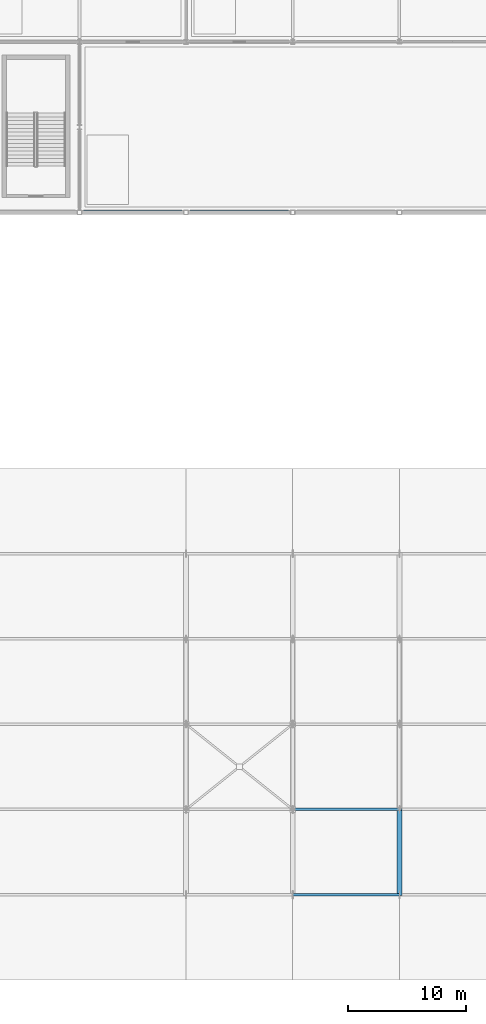
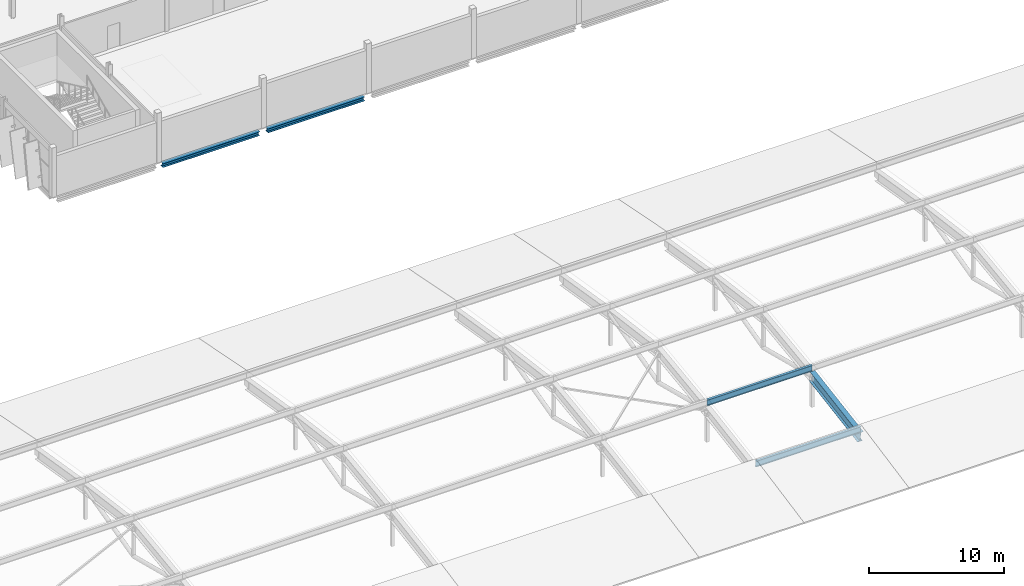
# One storey, part 15 of 78: 3 members, 2 beams.
"""IFC4 building model written with IfcOpenShell, lengths in metres."""

from ifc_helpers import new_model, si_unit, direction, frame, origin, origin_2d, place, context, subcontext, project, spatial, i_section, extrude, material, material_profile, profile_set, type_object, element, save


model = new_model("IFC4")

# Units and contexts
model_context = context("Model", 3, precision=1e-05, world=origin(), true_north=direction((0.0, 1.0)))
body_context = subcontext(model_context, "Body", "Model", "MODEL_VIEW")
ifc_project = project(units=[si_unit("LENGTHUNIT", "METRE"), si_unit("AREAUNIT", "SQUARE_METRE"), si_unit("VOLUMEUNIT", "CUBIC_METRE"), si_unit("PLANEANGLEUNIT", "RADIAN"), si_unit("MASSUNIT", "GRAM", prefix="KILO")], contexts=[model_context])

# Site, building, storey
site_placement = place(None, origin())
site = spatial("IfcSite", under=ifc_project, at=site_placement, CompositionType="ELEMENT")
building_placement = place(site_placement, origin())
building = spatial("IfcBuilding", under=site, at=building_placement, Name="Celestram Park Convention Centre", CompositionType="ELEMENT")
storey_placement = place(building_placement, frame((0.0, 0.0, 19.800048828125)))
storey = spatial("IfcBuildingStorey", under=building, at=storey_placement, Name="L04", CompositionType="ELEMENT", Elevation=19.800048828125)

# Members
ifc_material = material(Name="Steel ASTM A992 Grade 50", Category="steel")
ifc_material_profile_1 = material_profile(ifc_material, i_section(OverallWidth=0.4189453125, OverallDepth=0.927001953125, WebThickness=0.019287109375, FlangeThickness=0.031982421875, at=origin_2d()), Name="W36X231")
ifc_profile_set_1 = profile_set([ifc_material_profile_1], Name="Steel ASTM A992 Grade 50")
member_type_1 = type_object("IfcMemberType", Name="STR-CHD-W36X231", PredefinedType="CHORD", material=ifc_profile_set_1)
member_placement = place(storey_placement, frame((72.0, 50.39990234375, 0.481689453125), z_axis=(0.0, 0.986649508872, 0.162858056734), x_axis=(-1.0, 0.0, 0.0)))
element("IfcMember", 1, at=member_placement, inside=storey, type_object=member_type_1, Name="V1 arch top chord", PredefinedType="CHORD", context=body_context, shape_type="SweptSolid", body=[
    extrude(i_section(OverallWidth=0.4189453125, OverallDepth=0.927001953125, WebThickness=0.019287109375, FlangeThickness=0.031982421875, at=origin_2d()), origin(), (0.0, 0.0, 1.0), 7.297607421875),
])
ifc_material_profile_2 = material_profile(ifc_material, i_section(OverallWidth=0.2099609375, OverallDepth=0.532958984375, WebThickness=0.01025390625, FlangeThickness=0.015625, at=origin_2d()), Name="W21X62")
ifc_profile_set_2 = profile_set([ifc_material_profile_2], Name="Steel ASTM A992 Grade 50")
member_type_2 = type_object("IfcMemberType", Name="STR-RFT-W21X62", PredefinedType="RAFTER", material=ifc_profile_set_2)
for number, where, z_axis, x_axis, name in (
    (2, (63.0, 50.39990234375, 1.211669921875), (1.0, 0.0, 0.0), (0.0, 1.0, 0.0), "V1 roof purlin"),
    (3, (63.0, 57.60009765625, 2.400146484375), (1.0, 0.0, 0.0), (0.0, 1.0, 0.0), "V1 roof purlin"),
):
    element("IfcMember", number, at=place(storey_placement, frame(where, z_axis=z_axis, x_axis=x_axis)), inside=storey, type_object=member_type_2, Name=name, PredefinedType="RAFTER", context=body_context, shape_type="SweptSolid", body=[
        extrude(i_section(OverallWidth=0.2099609375, OverallDepth=0.532958984375, WebThickness=0.01025390625, FlangeThickness=0.015625, at=origin_2d()), origin(), (0.0, 0.0, 1.0), 9.0),
    ])

# Beams
ifc_material_profile_3 = material_profile(ifc_material, i_section(OverallWidth=0.367919921875, OverallDepth=0.35595703125, WebThickness=0.01123046875, FlangeThickness=0.01806640625, at=origin_2d()), Name="W14X90")
ifc_profile_set_3 = profile_set([ifc_material_profile_3], Name="Steel ASTM A992 Grade 50")
beam_type = type_object("IfcBeamType", Name="STR-SPN-W14X90", PredefinedType="SPANDREL", material=ifc_profile_set_3)
for number, where, z_axis, x_axis, name in (
    (4, (45.347900390625, 108.0, -0.427978515625), (1.0, 0.0, 0.0), (0.0, 1.0, 0.0), "Primary X-girder BG-L04-0015"),
    (5, (54.347900390625, 108.0, -0.427978515625), (1.0, 0.0, 0.0), (0.0, 1.0, 0.0), "Primary X-girder BG-L04-0031"),
):
    element("IfcBeam", number, at=place(storey_placement, frame(where, z_axis=z_axis, x_axis=x_axis)), inside=storey, type_object=beam_type, Name=name, PredefinedType="SPANDREL", context=body_context, shape_type="SweptSolid", body=[
        extrude(i_section(OverallWidth=0.367919921875, OverallDepth=0.35595703125, WebThickness=0.01123046875, FlangeThickness=0.01806640625, at=origin_2d()), origin(), (0.0, 0.0, 1.0), 8.30419921875),
    ])

save(model, "model.ifc")
